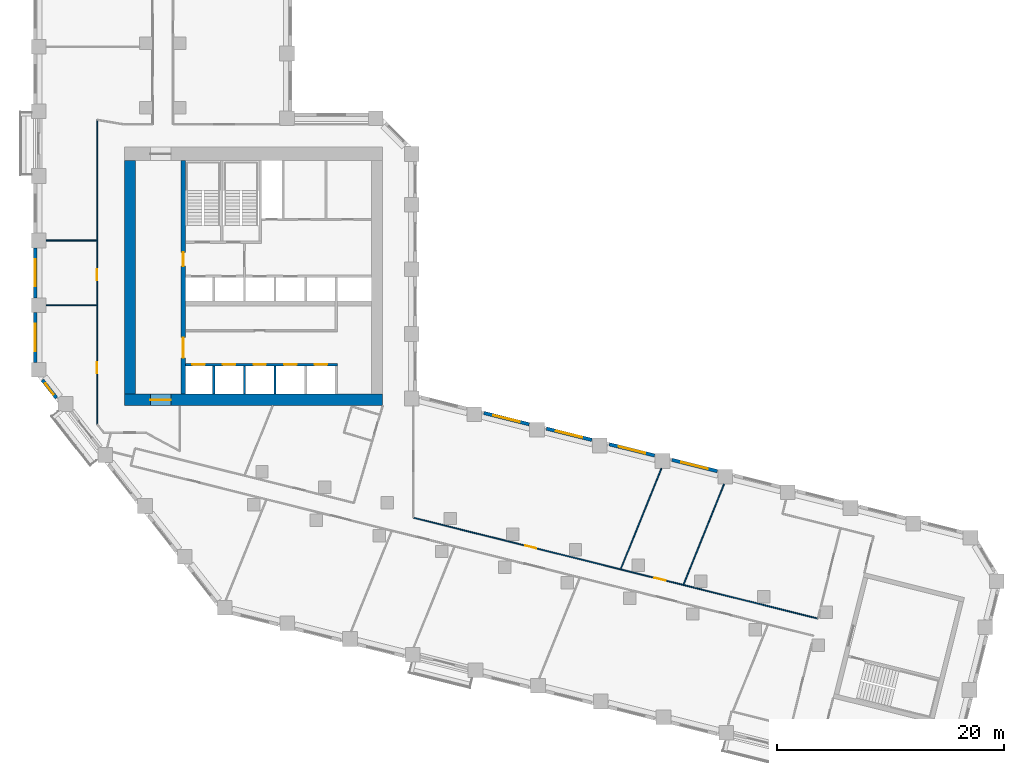
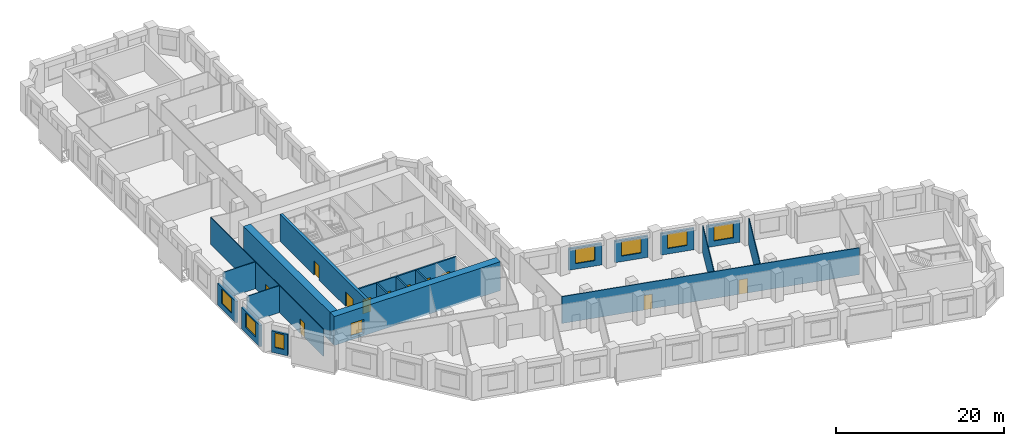
# One storey, part 4 of 10: 20 walls, 12 doors, 7 windows, 19 openings.
"""IFC4 building model written with IfcOpenShell, lengths in metres."""

from ifc_helpers import new_model, si_unit, direction, frame, frame_2d, origin, place, context, subcontext, project, spatial, rectangle, extrude, material, layer, layer_set, type_object, element, fill, save


model = new_model("IFC4")

# Units and contexts
model_context = context("Model", 3, precision=1e-05, world=origin(), true_north=direction((0.0, 1.0)))
body_context = subcontext(model_context, "Body", "Model", "MODEL_VIEW")
ifc_project = project(units=[si_unit("LENGTHUNIT", "METRE"), si_unit("AREAUNIT", "SQUARE_METRE"), si_unit("VOLUMEUNIT", "CUBIC_METRE"), si_unit("PLANEANGLEUNIT", "RADIAN"), si_unit("MASSUNIT", "GRAM", prefix="KILO")], contexts=[model_context])

# Site, building, storey
site_placement = place(None, origin())
site = spatial("IfcSite", under=ifc_project, at=site_placement, CompositionType="ELEMENT")
building_placement = place(site_placement, origin())
building = spatial("IfcBuilding", under=site, at=building_placement, Name="Meshkara Civic Tower", CompositionType="ELEMENT")
storey_placement = place(building_placement, frame((0.0, 0.0, 122.39990234375)))
storey = spatial("IfcBuildingStorey", under=building, at=storey_placement, Name="L27", CompositionType="ELEMENT", Elevation=122.39990234375)

# Wall, opening, door
ifc_material_1 = material(Name="Concrete C70", Category="concrete")
ifc_layer_1 = layer(ifc_material_1, 1.0)
ifc_layer_set_1 = layer_set([ifc_layer_1], Name="Core ring wall 1000 C70")
wall_type_1 = type_object("IfcWallType", Name="Core ring wall 1000 C70", PredefinedType="SHEAR", material=ifc_layer_set_1)
wall_1_placement = place(storey_placement, frame((8.0, 14.60009765625, -0.2998046875), z_axis=(0.0, 0.0, 1.0), x_axis=(1.0, 0.0, 0.0)))
wall_1 = element("IfcWall", 1, at=wall_1_placement, inside=storey, type_object=wall_type_1, Name="L27-C001", PredefinedType="SHEAR", context=body_context, shape_type="SweptSolid", body=[
    extrude(rectangle(XDim=22.800048828125, YDim=1.0, at=frame_2d((11.39990234375, 0.0))), origin(), (0.0, 0.0, 1.0), 4.199951171875),
])
opening_1_placement = place(wall_1_placement, frame((2.300048828125, 0.0, 0.300048828125)))
opening_1 = element("IfcOpeningElement", 2, at=opening_1_placement, cuts=wall_1, Name="Opening L27-K020", PredefinedType="OPENING", context=body_context, shape_type="SweptSolid", body=[
    extrude(rectangle(XDim=1.800048828125, YDim=2.10009765625, at=frame_2d((0.89990234375, 1.050048828125))), frame((0.0, 0.510009765625, 0.0), z_axis=(0.0, -1.0, 0.0), x_axis=(1.0, 0.0, 0.0)), (0.0, 0.0, 1.0), 1.02001953125),
])
ifc_material_2 = material(Name="Fire-rated door leaf in steel frame", Category="steel")
door_type_1 = type_object("IfcDoorType", Name="Core double door 1800 EI 60", OperationType="DOUBLE_DOOR_SINGLE_SWING", PredefinedType="DOOR", material=ifc_material_2)
door_1_placement = place(opening_1_placement, origin())
door_1 = element("IfcDoor", 3, at=door_1_placement, inside=storey, type_object=door_type_1, Name="L27-K020", OperationType="DOUBLE_DOOR_SINGLE_SWING", OverallHeight=2.10009765625, OverallWidth=1.800048828125, PredefinedType="DOOR", context=body_context, shape_type="SweptSolid", body=[
    extrude(rectangle(XDim=1.800048828125, YDim=2.10009765625, at=frame_2d((0.89990234375, 1.050048828125))), frame((0.0, 0.02490234375, 0.0), z_axis=(0.0, -1.0, 0.0), x_axis=(1.0, 0.0, 0.0)), (0.0, 0.0, 1.0), 0.050048828125),
])
fill(opening_1, door_1)

# Wall
wall_2_placement = place(storey_placement, frame((8.5, 15.10009765625, -0.2998046875), z_axis=(0.0, 0.0, 1.0), x_axis=(0.0, 1.0, 0.0)))
element("IfcWall", 4, at=wall_2_placement, inside=storey, type_object=wall_type_1, Name="L27-C003", PredefinedType="SHEAR", context=body_context, shape_type="SweptSolid", body=[
    extrude(rectangle(XDim=20.599853515625, YDim=1.0, at=frame_2d((10.2998046875, 0.0))), origin(), (0.0, 0.0, 1.0), 4.199951171875),
])

# Wall, openings, doors
ifc_material_3 = material(Name="Concrete C70", Category="concrete")
ifc_layer_2 = layer(ifc_material_3, 0.39990234375)
ifc_layer_set_2 = layer_set([ifc_layer_2], Name="Core shear wall 400 C70")
wall_type_2 = type_object("IfcWallType", Name="Core shear wall 400 C70", PredefinedType="SHEAR", material=ifc_layer_set_2)
wall_3_placement = place(storey_placement, frame((13.199951171875, 15.10009765625, 0.0), z_axis=(0.0, 0.0, 1.0), x_axis=(0.0, 1.0, 0.0)))
wall_3 = element("IfcWall", 5, at=wall_3_placement, inside=storey, type_object=wall_type_2, Name="L27-C011", PredefinedType="SHEAR", context=body_context, shape_type="SweptSolid", body=[
    extrude(rectangle(XDim=20.599853515625, YDim=0.39990234375, at=frame_2d((10.2998046875, 0.0))), origin(), (0.0, 0.0, 1.0), 3.900146484375),
])
opening_2_placement = place(wall_3_placement, frame((3.199951171875, 0.0, 0.0)))
opening_2 = element("IfcOpeningElement", 6, at=opening_2_placement, cuts=wall_3, Name="Opening L27-K016", PredefinedType="OPENING", context=body_context, shape_type="SweptSolid", body=[
    extrude(rectangle(XDim=1.800048828125, YDim=2.10009765625, at=frame_2d((0.89990234375, 1.050048828125))), frame((0.0, 0.2099609375, 0.0), z_axis=(0.0, -1.0, 0.0), x_axis=(1.0, 0.0, 0.0)), (0.0, 0.0, 1.0), 0.419921875),
])
opening_3_placement = place(wall_3_placement, frame((11.300048828125, 0.0, 0.0)))
opening_3 = element("IfcOpeningElement", 7, at=opening_3_placement, cuts=wall_3, Name="Opening L27-K017", PredefinedType="OPENING", context=body_context, shape_type="SweptSolid", body=[
    extrude(rectangle(XDim=1.199951171875, YDim=2.10009765625, at=frame_2d((0.60009765625, 1.050048828125))), frame((0.0, 0.2099609375, 0.0), z_axis=(0.0, -1.0, 0.0), x_axis=(1.0, 0.0, 0.0)), (0.0, 0.0, 1.0), 0.419921875),
])
door_2_placement = place(opening_2_placement, origin())
door_2 = element("IfcDoor", 8, at=door_2_placement, inside=storey, type_object=door_type_1, Name="L27-K016", OperationType="DOUBLE_DOOR_SINGLE_SWING", OverallHeight=2.10009765625, OverallWidth=1.800048828125, PredefinedType="DOOR", context=body_context, shape_type="SweptSolid", body=[
    extrude(rectangle(XDim=1.800048828125, YDim=2.10009765625, at=frame_2d((0.89990234375, 1.050048828125))), frame((0.0, 0.02490234375, 0.0), z_axis=(0.0, -1.0, 0.0), x_axis=(1.0, 0.0, 0.0)), (0.0, 0.0, 1.0), 0.050048828125),
])
fill(opening_2, door_2)
ifc_material_4 = material(Name="Fire-rated door leaf in steel frame", Category="steel")
door_type_2 = type_object("IfcDoorType", Name="Fire-fighting lobby door 1200 EI 120", OperationType="SINGLE_SWING_LEFT", PredefinedType="DOOR", material=ifc_material_4)
door_3_placement = place(opening_3_placement, origin())
door_3 = element("IfcDoor", 9, at=door_3_placement, inside=storey, type_object=door_type_2, Name="L27-K017", OperationType="SINGLE_SWING_LEFT", OverallHeight=2.10009765625, OverallWidth=1.199951171875, PredefinedType="DOOR", context=body_context, shape_type="SweptSolid", body=[
    extrude(rectangle(XDim=1.199951171875, YDim=2.10009765625, at=frame_2d((0.60009765625, 1.050048828125))), frame((0.0, 0.02490234375, 0.0), z_axis=(0.0, -1.0, 0.0), x_axis=(1.0, 0.0, 0.0)), (0.0, 0.0, 1.0), 0.050048828125),
])
fill(opening_3, door_3)

ifc_material_5 = material(Name="Corridor wall 100")
ifc_layer_3 = layer(ifc_material_5, 0.10009765625)
ifc_layer_set_3 = layer_set([ifc_layer_3], Name="Corridor wall 100")
wall_type_3 = type_object("IfcWallType", Name="Corridor wall 100", PredefinedType="PARTITIONING", material=ifc_layer_set_3)
wall_4_placement = place(storey_placement, frame((5.60009765625, 12.449951171875, 0.0), z_axis=(0.0, 0.0, 1.0), x_axis=(0.0, 1.0, 0.0)))
wall_4 = element("IfcWall", 10, at=wall_4_placement, inside=storey, type_object=wall_type_3, Name="L27-W003", PredefinedType="PARTITIONING", context=body_context, shape_type="SweptSolid", body=[
    extrude(rectangle(XDim=26.85009765625, YDim=0.10009765625, at=frame_2d((13.425048828125, 0.0))), origin(), (0.0, 0.0, 1.0), 3.900146484375),
])
opening_4_placement = place(wall_4_placement, frame((4.47998046875, 0.0, 0.0)))
opening_4 = element("IfcOpeningElement", 11, at=opening_4_placement, cuts=wall_4, Name="Opening L27-D016", PredefinedType="OPENING", context=body_context, shape_type="SweptSolid", body=[
    extrude(rectangle(XDim=1.0, YDim=2.10009765625, at=frame_2d((0.5, 1.050048828125))), frame((0.0, 0.06005859375, 0.0), z_axis=(0.0, -1.0, 0.0), x_axis=(1.0, 0.0, 0.0)), (0.0, 0.0, 1.0), 0.1201171875),
])
opening_5_placement = place(wall_4_placement, frame((12.68505859375, 0.0, 0.0)))
opening_5 = element("IfcOpeningElement", 12, at=opening_5_placement, cuts=wall_4, Name="Opening L27-D018", PredefinedType="OPENING", context=body_context, shape_type="SweptSolid", body=[
    extrude(rectangle(XDim=1.0, YDim=2.10009765625, at=frame_2d((0.5, 1.050048828125))), frame((0.0, 0.06005859375, 0.0), z_axis=(0.0, -1.0, 0.0), x_axis=(1.0, 0.0, 0.0)), (0.0, 0.0, 1.0), 0.1201171875),
])
ifc_material_6 = material(Name="Door 1000 x 2100")
door_type_3 = type_object("IfcDoorType", Name="Door 1000 x 2100", OperationType="SINGLE_SWING_LEFT", PredefinedType="DOOR", material=ifc_material_6)
door_4_placement = place(opening_4_placement, origin())
door_4 = element("IfcDoor", 13, at=door_4_placement, inside=storey, type_object=door_type_3, Name="L27-D016", OperationType="SINGLE_SWING_LEFT", OverallHeight=2.10009765625, OverallWidth=1.0, PredefinedType="DOOR", context=body_context, shape_type="SweptSolid", body=[
    extrude(rectangle(XDim=1.0, YDim=2.10009765625, at=frame_2d((0.5, 1.050048828125))), frame((0.0, 0.02490234375, 0.0), z_axis=(0.0, -1.0, 0.0), x_axis=(1.0, 0.0, 0.0)), (0.0, 0.0, 1.0), 0.050048828125),
])
fill(opening_4, door_4)
door_5_placement = place(opening_5_placement, origin())
door_5 = element("IfcDoor", 14, at=door_5_placement, inside=storey, type_object=door_type_3, Name="L27-D018", OperationType="SINGLE_SWING_LEFT", OverallHeight=2.10009765625, OverallWidth=1.0, PredefinedType="DOOR", context=body_context, shape_type="SweptSolid", body=[
    extrude(rectangle(XDim=1.0, YDim=2.10009765625, at=frame_2d((0.5, 1.050048828125))), frame((0.0, 0.02490234375, 0.0), z_axis=(0.0, -1.0, 0.0), x_axis=(1.0, 0.0, 0.0)), (0.0, 0.0, 1.0), 0.050048828125),
])
fill(opening_5, door_5)

wall_5_placement = place(storey_placement, frame((33.5, 4.2041015625, 0.0), z_axis=(0.0, 0.0, 1.0), x_axis=(0.970297694708, -0.241914000513, 0.0)))
wall_5 = element("IfcWall", 15, at=wall_5_placement, inside=storey, type_object=wall_type_3, Name="L27-W022", PredefinedType="PARTITIONING", context=body_context, shape_type="SweptSolid", body=[
    extrude(rectangle(XDim=36.782470703125, YDim=0.10009765625, at=frame_2d((18.39111328125, 0.0))), origin(), (0.0, 0.0, 1.0), 3.900146484375),
])
opening_6_placement = place(wall_5_placement, frame((21.924072265625, 0.0, 0.0)))
opening_6 = element("IfcOpeningElement", 16, at=opening_6_placement, cuts=wall_5, Name="Opening L27-D004", PredefinedType="OPENING", context=body_context, shape_type="SweptSolid", body=[
    extrude(rectangle(XDim=1.0, YDim=2.10009765625, at=frame_2d((0.5, 1.050048828125))), frame((0.0, 0.06005859375, 0.0), z_axis=(0.0, -1.0, 0.0), x_axis=(1.0, 0.0, 0.0)), (0.0, 0.0, 1.0), 0.1201171875),
])
opening_7_placement = place(wall_5_placement, frame((10.179931640625, 0.0, 0.0)))
opening_7 = element("IfcOpeningElement", 17, at=opening_7_placement, cuts=wall_5, Name="Opening L27-D009", PredefinedType="OPENING", context=body_context, shape_type="SweptSolid", body=[
    extrude(rectangle(XDim=1.0, YDim=2.10009765625, at=frame_2d((0.5, 1.050048828125))), frame((0.0, 0.06005859375, 0.0), z_axis=(0.0, -1.0, 0.0), x_axis=(1.0, 0.0, 0.0)), (0.0, 0.0, 1.0), 0.1201171875),
])
door_6_placement = place(opening_6_placement, origin())
door_6 = element("IfcDoor", 18, at=door_6_placement, inside=storey, type_object=door_type_3, Name="L27-D004", OperationType="SINGLE_SWING_RIGHT", OverallHeight=2.10009765625, OverallWidth=1.0, PredefinedType="DOOR", context=body_context, shape_type="SweptSolid", body=[
    extrude(rectangle(XDim=1.0, YDim=2.10009765625, at=frame_2d((0.5, 1.050048828125))), frame((0.0, 0.02490234375, 0.0), z_axis=(0.0, -1.0, 0.0), x_axis=(1.0, 0.0, 0.0)), (0.0, 0.0, 1.0), 0.050048828125),
])
fill(opening_6, door_6)
door_7_placement = place(opening_7_placement, origin())
door_7 = element("IfcDoor", 19, at=door_7_placement, inside=storey, type_object=door_type_3, Name="L27-D009", OperationType="SINGLE_SWING_RIGHT", OverallHeight=2.10009765625, OverallWidth=1.0, PredefinedType="DOOR", context=body_context, shape_type="SweptSolid", body=[
    extrude(rectangle(XDim=1.0, YDim=2.10009765625, at=frame_2d((0.5, 1.050048828125))), frame((0.0, 0.02490234375, 0.0), z_axis=(0.0, -1.0, 0.0), x_axis=(1.0, 0.0, 0.0)), (0.0, 0.0, 1.0), 0.050048828125),
])
fill(opening_7, door_7)

# Wall, opening, window
ifc_material_7 = material(Name="Insulated infill panel with bronze anodised aluminium cladding", Category="aluminium")
ifc_layer_4 = layer(ifc_material_7, 0.300048828125)
ifc_layer_set_4 = layer_set([ifc_layer_4], Name="EXTERNAL INFILL WALL 300")
wall_type_4 = type_object("IfcWallType", Name="EXTERNAL INFILL WALL 300", PredefinedType="SOLIDWALL", material=ifc_layer_set_4)
wall_6_placement = place(storey_placement, frame((60.31103515625, 8.305908203125, 0.0), z_axis=(0.0, 0.0, 1.0), x_axis=(-0.970267747908, 0.242034083076, 0.0)))
wall_6 = element("IfcWall", 20, at=wall_6_placement, inside=storey, type_object=wall_type_4, Name="External wall", PredefinedType="SOLIDWALL", context=body_context, shape_type="SweptSolid", body=[
    extrude(rectangle(XDim=4.12353515625, YDim=0.300048828125, at=frame_2d((2.061767578125, 0.0))), origin(), (0.0, 0.0, 1.0), 3.10009765625),
])
opening_8_placement = place(wall_6_placement, frame((0.862060546875, 0.0, 0.800048828125)))
opening_8 = element("IfcOpeningElement", 21, at=opening_8_placement, cuts=wall_6, Name="Opening W7", PredefinedType="OPENING", context=body_context, shape_type="SweptSolid", body=[
    extrude(rectangle(XDim=2.39990234375, YDim=2.10009765625, at=frame_2d((1.199951171875, 1.050048828125))), frame((0.0, 0.159912109375, 0.0), z_axis=(0.0, -1.0, 0.0), x_axis=(1.0, 0.0, 0.0)), (0.0, 0.0, 1.0), 0.320068359375),
])
ifc_material_8 = material(Name="Tinted double glazing", Category="glass")
window_type_1 = type_object("IfcWindowType", Name="WINDOW 2400x2100", PartitioningType="DOUBLE_PANEL_VERTICAL", PredefinedType="WINDOW", material=ifc_material_8)
window_1_placement = place(opening_8_placement, origin())
window_1 = element("IfcWindow", 22, at=window_1_placement, inside=storey, type_object=window_type_1, Name="Window", OverallHeight=2.10009765625, OverallWidth=2.39990234375, PartitioningType="DOUBLE_PANEL_VERTICAL", PredefinedType="WINDOW", context=body_context, shape_type="SweptSolid", body=[
    extrude(rectangle(XDim=2.39990234375, YDim=2.10009765625, at=frame_2d((1.199951171875, 1.050048828125))), frame((0.0, 0.030029296875, 0.0), z_axis=(0.0, -1.0, 0.0), x_axis=(1.0, 0.0, 0.0)), (0.0, 0.0, 1.0), 0.06005859375),
])
fill(opening_8, window_1)

wall_7_placement = place(storey_placement, frame((54.781005859375, 9.68505859375, 0.0), z_axis=(0.0, 0.0, 1.0), x_axis=(-0.970281616392, 0.241978480223, 0.0)))
wall_7 = element("IfcWall", 23, at=wall_7_placement, inside=storey, type_object=wall_type_4, Name="External wall", PredefinedType="SOLIDWALL", context=body_context, shape_type="SweptSolid", body=[
    extrude(rectangle(XDim=4.12451171875, YDim=0.300048828125, at=frame_2d((2.062255859375, 0.0))), origin(), (0.0, 0.0, 1.0), 3.10009765625),
])
opening_9_placement = place(wall_7_placement, frame((0.862060546875, 0.0, 0.800048828125)))
opening_9 = element("IfcOpeningElement", 24, at=opening_9_placement, cuts=wall_7, Name="Opening W7", PredefinedType="OPENING", context=body_context, shape_type="SweptSolid", body=[
    extrude(rectangle(XDim=2.39990234375, YDim=2.10009765625, at=frame_2d((1.199951171875, 1.050048828125))), frame((0.0, 0.159912109375, 0.0), z_axis=(0.0, -1.0, 0.0), x_axis=(1.0, 0.0, 0.0)), (0.0, 0.0, 1.0), 0.320068359375),
])
window_2_placement = place(opening_9_placement, origin())
window_2 = element("IfcWindow", 25, at=window_2_placement, inside=storey, type_object=window_type_1, Name="Window", OverallHeight=2.10009765625, OverallWidth=2.39990234375, PartitioningType="DOUBLE_PANEL_VERTICAL", PredefinedType="WINDOW", context=body_context, shape_type="SweptSolid", body=[
    extrude(rectangle(XDim=2.39990234375, YDim=2.10009765625, at=frame_2d((1.199951171875, 1.050048828125))), frame((0.0, 0.030029296875, 0.0), z_axis=(0.0, -1.0, 0.0), x_axis=(1.0, 0.0, 0.0)), (0.0, 0.0, 1.0), 0.06005859375),
])
fill(opening_9, window_2)

wall_8_placement = place(storey_placement, frame((49.25, 11.06396484375, 0.0), z_axis=(0.0, 0.0, 1.0), x_axis=(-0.970281616392, 0.241978480223, 0.0)))
wall_8 = element("IfcWall", 26, at=wall_8_placement, inside=storey, type_object=wall_type_4, Name="External wall", PredefinedType="SOLIDWALL", context=body_context, shape_type="SweptSolid", body=[
    extrude(rectangle(XDim=4.12451171875, YDim=0.300048828125, at=frame_2d((2.062255859375, 0.0))), origin(), (0.0, 0.0, 1.0), 3.10009765625),
])
opening_10_placement = place(wall_8_placement, frame((0.862060546875, 0.0, 0.800048828125)))
opening_10 = element("IfcOpeningElement", 27, at=opening_10_placement, cuts=wall_8, Name="Opening W7", PredefinedType="OPENING", context=body_context, shape_type="SweptSolid", body=[
    extrude(rectangle(XDim=2.39990234375, YDim=2.10009765625, at=frame_2d((1.199951171875, 1.050048828125))), frame((0.0, 0.159912109375, 0.0), z_axis=(0.0, -1.0, 0.0), x_axis=(1.0, 0.0, 0.0)), (0.0, 0.0, 1.0), 0.320068359375),
])
window_3_placement = place(opening_10_placement, origin())
window_3 = element("IfcWindow", 28, at=window_3_placement, inside=storey, type_object=window_type_1, Name="Window", OverallHeight=2.10009765625, OverallWidth=2.39990234375, PartitioningType="DOUBLE_PANEL_VERTICAL", PredefinedType="WINDOW", context=body_context, shape_type="SweptSolid", body=[
    extrude(rectangle(XDim=2.39990234375, YDim=2.10009765625, at=frame_2d((1.199951171875, 1.050048828125))), frame((0.0, 0.030029296875, 0.0), z_axis=(0.0, -1.0, 0.0), x_axis=(1.0, 0.0, 0.0)), (0.0, 0.0, 1.0), 0.06005859375),
])
fill(opening_10, window_3)

wall_9_placement = place(storey_placement, frame((43.718994140625, 12.443115234375, 0.0), z_axis=(0.0, 0.0, 1.0), x_axis=(-0.970281650314, 0.241978344205, 0.0)))
wall_9 = element("IfcWall", 29, at=wall_9_placement, inside=storey, type_object=wall_type_4, Name="External wall", PredefinedType="SOLIDWALL", context=body_context, shape_type="SweptSolid", body=[
    extrude(rectangle(XDim=4.12353515625, YDim=0.300048828125, at=frame_2d((2.061767578125, 0.0))), origin(), (0.0, 0.0, 1.0), 3.10009765625),
])
opening_11_placement = place(wall_9_placement, frame((0.862060546875, 0.0, 0.800048828125)))
opening_11 = element("IfcOpeningElement", 30, at=opening_11_placement, cuts=wall_9, Name="Opening W7", PredefinedType="OPENING", context=body_context, shape_type="SweptSolid", body=[
    extrude(rectangle(XDim=2.39990234375, YDim=2.10009765625, at=frame_2d((1.199951171875, 1.050048828125))), frame((0.0, 0.159912109375, 0.0), z_axis=(0.0, -1.0, 0.0), x_axis=(1.0, 0.0, 0.0)), (0.0, 0.0, 1.0), 0.320068359375),
])
window_4_placement = place(opening_11_placement, origin())
window_4 = element("IfcWindow", 31, at=window_4_placement, inside=storey, type_object=window_type_1, Name="Window", OverallHeight=2.10009765625, OverallWidth=2.39990234375, PartitioningType="DOUBLE_PANEL_VERTICAL", PredefinedType="WINDOW", context=body_context, shape_type="SweptSolid", body=[
    extrude(rectangle(XDim=2.39990234375, YDim=2.10009765625, at=frame_2d((1.199951171875, 1.050048828125))), frame((0.0, 0.030029296875, 0.0), z_axis=(0.0, -1.0, 0.0), x_axis=(1.0, 0.0, 0.0)), (0.0, 0.0, 1.0), 0.06005859375),
])
fill(opening_11, window_4)

wall_10_placement = place(storey_placement, frame((0.14990234375, 28.0048828125, 0.0), z_axis=(0.0, 0.0, 1.0), x_axis=(0.0, -1.0, 0.0)))
wall_10 = element("IfcWall", 32, at=wall_10_placement, inside=storey, type_object=wall_type_4, Name="External wall", PredefinedType="SOLIDWALL", context=body_context, shape_type="SweptSolid", body=[
    extrude(rectangle(XDim=4.39990234375, YDim=0.300048828125, at=frame_2d((2.199951171875, 0.0))), origin(), (0.0, 0.0, 1.0), 3.10009765625),
])
opening_12_placement = place(wall_10_placement, frame((1.0, 0.0, 0.800048828125)))
opening_12 = element("IfcOpeningElement", 33, at=opening_12_placement, cuts=wall_10, Name="Opening W7", PredefinedType="OPENING", context=body_context, shape_type="SweptSolid", body=[
    extrude(rectangle(XDim=2.39990234375, YDim=2.10009765625, at=frame_2d((1.199951171875, 1.050048828125))), frame((0.0, 0.159912109375, 0.0), z_axis=(0.0, -1.0, 0.0), x_axis=(1.0, 0.0, 0.0)), (0.0, 0.0, 1.0), 0.320068359375),
])
window_5_placement = place(opening_12_placement, origin())
window_5 = element("IfcWindow", 34, at=window_5_placement, inside=storey, type_object=window_type_1, Name="Window", OverallHeight=2.10009765625, OverallWidth=2.39990234375, PartitioningType="DOUBLE_PANEL_VERTICAL", PredefinedType="WINDOW", context=body_context, shape_type="SweptSolid", body=[
    extrude(rectangle(XDim=2.39990234375, YDim=2.10009765625, at=frame_2d((1.199951171875, 1.050048828125))), frame((0.0, 0.030029296875, 0.0), z_axis=(0.0, -1.0, 0.0), x_axis=(1.0, 0.0, 0.0)), (0.0, 0.0, 1.0), 0.06005859375),
])
fill(opening_12, window_5)

wall_11_placement = place(storey_placement, frame((0.14990234375, 22.304931640625, 0.0), z_axis=(0.0, 0.0, 1.0), x_axis=(0.0, -1.0, 0.0)))
wall_11 = element("IfcWall", 35, at=wall_11_placement, inside=storey, type_object=wall_type_4, Name="External wall", PredefinedType="SOLIDWALL", context=body_context, shape_type="SweptSolid", body=[
    extrude(rectangle(XDim=4.39990234375, YDim=0.300048828125, at=frame_2d((2.199951171875, 0.0))), origin(), (0.0, 0.0, 1.0), 3.10009765625),
])
opening_13_placement = place(wall_11_placement, frame((1.0, 0.0, 0.800048828125)))
opening_13 = element("IfcOpeningElement", 36, at=opening_13_placement, cuts=wall_11, Name="Opening W7", PredefinedType="OPENING", context=body_context, shape_type="SweptSolid", body=[
    extrude(rectangle(XDim=2.39990234375, YDim=2.10009765625, at=frame_2d((1.199951171875, 1.050048828125))), frame((0.0, 0.159912109375, 0.0), z_axis=(0.0, -1.0, 0.0), x_axis=(1.0, 0.0, 0.0)), (0.0, 0.0, 1.0), 0.320068359375),
])
window_6_placement = place(opening_13_placement, origin())
window_6 = element("IfcWindow", 37, at=window_6_placement, inside=storey, type_object=window_type_1, Name="Window", OverallHeight=2.10009765625, OverallWidth=2.39990234375, PartitioningType="DOUBLE_PANEL_VERTICAL", PredefinedType="WINDOW", context=body_context, shape_type="SweptSolid", body=[
    extrude(rectangle(XDim=2.39990234375, YDim=2.10009765625, at=frame_2d((1.199951171875, 1.050048828125))), frame((0.0, 0.030029296875, 0.0), z_axis=(0.0, -1.0, 0.0), x_axis=(1.0, 0.0, 0.0)), (0.0, 0.0, 1.0), 0.06005859375),
])
fill(opening_13, window_6)

wall_12_placement = place(storey_placement, frame((0.77490234375, 16.35107421875, 0.0), z_axis=(0.0, 0.0, 1.0), x_axis=(0.6157921118, -0.787908671766, 0.0)))
wall_12 = element("IfcWall", 38, at=wall_12_placement, inside=storey, type_object=wall_type_4, Name="External wall", PredefinedType="SOLIDWALL", context=body_context, shape_type="SweptSolid", body=[
    extrude(rectangle(XDim=2.015625, YDim=0.300048828125, at=frame_2d((1.0078125, 0.0))), origin(), (0.0, 0.0, 1.0), 3.10009765625),
])
opening_14_placement = place(wall_12_placement, frame((0.407958984375, 0.0, 0.800048828125)))
opening_14 = element("IfcOpeningElement", 39, at=opening_14_placement, cuts=wall_12, Name="Opening W3", PredefinedType="OPENING", context=body_context, shape_type="SweptSolid", body=[
    extrude(rectangle(XDim=1.199951171875, YDim=2.10009765625, at=frame_2d((0.60009765625, 1.050048828125))), frame((0.0, 0.159912109375, 0.0), z_axis=(0.0, -1.0, 0.0), x_axis=(1.0, 0.0, 0.0)), (0.0, 0.0, 1.0), 0.320068359375),
])
ifc_material_9 = material(Name="Tinted double glazing", Category="glass")
window_type_2 = type_object("IfcWindowType", Name="WINDOW 1200x2100", PartitioningType="SINGLE_PANEL", PredefinedType="WINDOW", material=ifc_material_9)
window_7_placement = place(opening_14_placement, origin())
window_7 = element("IfcWindow", 40, at=window_7_placement, inside=storey, type_object=window_type_2, Name="Window", OverallHeight=2.10009765625, OverallWidth=1.199951171875, PartitioningType="SINGLE_PANEL", PredefinedType="WINDOW", context=body_context, shape_type="SweptSolid", body=[
    extrude(rectangle(XDim=1.199951171875, YDim=2.10009765625, at=frame_2d((0.60009765625, 1.050048828125))), frame((0.0, 0.030029296875, 0.0), z_axis=(0.0, -1.0, 0.0), x_axis=(1.0, 0.0, 0.0)), (0.0, 0.0, 1.0), 0.06005859375),
])
fill(opening_14, window_7)

# Walls
ifc_material_10 = material(Name="Partition 100")
ifc_layer_5 = layer(ifc_material_10, 0.10009765625)
ifc_layer_set_5 = layer_set([ifc_layer_5], Name="Partition 100")
wall_type_5 = type_object("IfcWallType", Name="Partition 100", PredefinedType="PARTITIONING", material=ifc_layer_set_5)
for number, where, z_axis, x_axis, name in (
    (41, (5.550048828125, 22.955078125, 0.0), (0.0, 0.0, 1.0), (-1.0, 0.0, 0.0), "L27-W033"),
    (42, (5.550048828125, 28.655029296875, 0.0), (0.0, 0.0, 1.0), (-1.0, 0.0, 0.0), "L27-W034"),
):
    element("IfcWall", number, at=place(storey_placement, frame(where, z_axis=z_axis, x_axis=x_axis)), inside=storey, type_object=wall_type_5, Name=name, PredefinedType="PARTITIONING", context=body_context, shape_type="SweptSolid", body=[
        extrude(rectangle(XDim=4.449951171875, YDim=0.10009765625, at=frame_2d((2.22509765625, 0.0))), origin(), (0.0, 0.0, 1.0), 3.900146484375),
    ])
wall_13_placement = place(storey_placement, frame((51.805908203125, -0.301025390625, 0.0), z_axis=(0.0, 0.0, 1.0), x_axis=(0.374597469954, 0.927187540633, 0.0)))
element("IfcWall", 43, at=wall_13_placement, inside=storey, type_object=wall_type_5, Name="L27-W049", PredefinedType="PARTITIONING", context=body_context, shape_type="SweptSolid", body=[
    extrude(rectangle(XDim=9.54931640625, YDim=0.10009765625, at=frame_2d((4.774658203125, 0.0))), origin(), (0.0, 0.0, 1.0), 3.900146484375),
])
wall_14_placement = place(storey_placement, frame((57.3369140625, -1.679931640625, 0.0), z_axis=(0.0, 0.0, 1.0), x_axis=(0.374509549879, 0.927223056793, 0.0)))
element("IfcWall", 44, at=wall_14_placement, inside=storey, type_object=wall_type_5, Name="L27-W050", PredefinedType="PARTITIONING", context=body_context, shape_type="SweptSolid", body=[
    extrude(rectangle(XDim=9.548828125, YDim=0.10009765625, at=frame_2d((4.7744140625, 0.0))), origin(), (0.0, 0.0, 1.0), 3.900146484375),
])

# Wall, openings, doors
ifc_material_11 = material(Name="Concrete C40/50", Category="concrete")
ifc_layer_6 = layer(ifc_material_11, 0.199951171875)
ifc_layer_set_6 = layer_set([ifc_layer_6], Name="Shaft wall 200 C40/50")
wall_type_6 = type_object("IfcWallType", Name="Shaft wall 200 C40/50", PredefinedType="SOLIDWALL", material=ifc_layer_set_6)
wall_15_placement = place(storey_placement, frame((13.39990234375, 17.699951171875, 0.0), z_axis=(0.0, 0.0, 1.0), x_axis=(1.0, 0.0, 0.0)))
wall_15 = element("IfcWall", 45, at=wall_15_placement, inside=storey, type_object=wall_type_6, Name="L27-C005", PredefinedType="SOLIDWALL", context=body_context, shape_type="SweptSolid", body=[
    extrude(rectangle(XDim=13.400146484375, YDim=0.199951171875, at=frame_2d((6.7001953125, 0.0))), origin(), (0.0, 0.0, 1.0), 3.900146484375),
])
opening_15_placement = place(wall_15_placement, frame((0.60009765625, 0.0, 0.0)))
opening_15 = element("IfcOpeningElement", 46, at=opening_15_placement, cuts=wall_15, Name="Opening L27-K001", PredefinedType="OPENING", context=body_context, shape_type="SweptSolid", body=[
    extrude(rectangle(XDim=1.10009765625, YDim=2.10009765625, at=frame_2d((0.550048828125, 1.050048828125))), frame((0.0, 0.10986328125, 0.0), z_axis=(0.0, -1.0, 0.0), x_axis=(1.0, 0.0, 0.0)), (0.0, 0.0, 1.0), 0.219970703125),
])
opening_16_placement = place(wall_15_placement, frame((3.300048828125, 0.0, 0.0)))
opening_16 = element("IfcOpeningElement", 47, at=opening_16_placement, cuts=wall_15, Name="Opening L27-K002", PredefinedType="OPENING", context=body_context, shape_type="SweptSolid", body=[
    extrude(rectangle(XDim=1.10009765625, YDim=2.10009765625, at=frame_2d((0.550048828125, 1.050048828125))), frame((0.0, 0.10986328125, 0.0), z_axis=(0.0, -1.0, 0.0), x_axis=(1.0, 0.0, 0.0)), (0.0, 0.0, 1.0), 0.219970703125),
])
opening_17_placement = place(wall_15_placement, frame((6.0, 0.0, 0.0)))
opening_17 = element("IfcOpeningElement", 48, at=opening_17_placement, cuts=wall_15, Name="Opening L27-K003", PredefinedType="OPENING", context=body_context, shape_type="SweptSolid", body=[
    extrude(rectangle(XDim=1.10009765625, YDim=2.10009765625, at=frame_2d((0.550048828125, 1.050048828125))), frame((0.0, 0.10986328125, 0.0), z_axis=(0.0, -1.0, 0.0), x_axis=(1.0, 0.0, 0.0)), (0.0, 0.0, 1.0), 0.219970703125),
])
opening_18_placement = place(wall_15_placement, frame((8.699951171875, 0.0, 0.0)))
opening_18 = element("IfcOpeningElement", 49, at=opening_18_placement, cuts=wall_15, Name="Opening L27-K004", PredefinedType="OPENING", context=body_context, shape_type="SweptSolid", body=[
    extrude(rectangle(XDim=1.10009765625, YDim=2.10009765625, at=frame_2d((0.550048828125, 1.050048828125))), frame((0.0, 0.10986328125, 0.0), z_axis=(0.0, -1.0, 0.0), x_axis=(1.0, 0.0, 0.0)), (0.0, 0.0, 1.0), 0.219970703125),
])
opening_19_placement = place(wall_15_placement, frame((11.39990234375, 0.0, 0.0)))
opening_19 = element("IfcOpeningElement", 50, at=opening_19_placement, cuts=wall_15, Name="Opening L27-K005", PredefinedType="OPENING", context=body_context, shape_type="SweptSolid", body=[
    extrude(rectangle(XDim=1.10009765625, YDim=2.10009765625, at=frame_2d((0.550048828125, 1.050048828125))), frame((0.0, 0.10986328125, 0.0), z_axis=(0.0, -1.0, 0.0), x_axis=(1.0, 0.0, 0.0)), (0.0, 0.0, 1.0), 0.219970703125),
])
ifc_material_12 = material(Name="Stainless steel landing door", Category="steel")
door_type_4 = type_object("IfcDoorType", Name="Lift landing door 1100", OperationType="SLIDING_TO_LEFT", PredefinedType="DOOR", material=ifc_material_12)
door_8_placement = place(opening_15_placement, origin())
door_8 = element("IfcDoor", 51, at=door_8_placement, inside=storey, type_object=door_type_4, Name="L27-K001", OperationType="SLIDING_TO_LEFT", OverallHeight=2.10009765625, OverallWidth=1.10009765625, PredefinedType="DOOR", context=body_context, shape_type="SweptSolid", body=[
    extrude(rectangle(XDim=1.10009765625, YDim=2.10009765625, at=frame_2d((0.550048828125, 1.050048828125))), frame((0.0, 0.02490234375, 0.0), z_axis=(0.0, -1.0, 0.0), x_axis=(1.0, 0.0, 0.0)), (0.0, 0.0, 1.0), 0.050048828125),
])
fill(opening_15, door_8)
door_9_placement = place(opening_16_placement, origin())
door_9 = element("IfcDoor", 52, at=door_9_placement, inside=storey, type_object=door_type_4, Name="L27-K002", OperationType="SLIDING_TO_LEFT", OverallHeight=2.10009765625, OverallWidth=1.10009765625, PredefinedType="DOOR", context=body_context, shape_type="SweptSolid", body=[
    extrude(rectangle(XDim=1.10009765625, YDim=2.10009765625, at=frame_2d((0.550048828125, 1.050048828125))), frame((0.0, 0.02490234375, 0.0), z_axis=(0.0, -1.0, 0.0), x_axis=(1.0, 0.0, 0.0)), (0.0, 0.0, 1.0), 0.050048828125),
])
fill(opening_16, door_9)
door_10_placement = place(opening_17_placement, origin())
door_10 = element("IfcDoor", 53, at=door_10_placement, inside=storey, type_object=door_type_4, Name="L27-K003", OperationType="SLIDING_TO_LEFT", OverallHeight=2.10009765625, OverallWidth=1.10009765625, PredefinedType="DOOR", context=body_context, shape_type="SweptSolid", body=[
    extrude(rectangle(XDim=1.10009765625, YDim=2.10009765625, at=frame_2d((0.550048828125, 1.050048828125))), frame((0.0, 0.02490234375, 0.0), z_axis=(0.0, -1.0, 0.0), x_axis=(1.0, 0.0, 0.0)), (0.0, 0.0, 1.0), 0.050048828125),
])
fill(opening_17, door_10)
door_11_placement = place(opening_18_placement, origin())
door_11 = element("IfcDoor", 54, at=door_11_placement, inside=storey, type_object=door_type_4, Name="L27-K004", OperationType="SLIDING_TO_LEFT", OverallHeight=2.10009765625, OverallWidth=1.10009765625, PredefinedType="DOOR", context=body_context, shape_type="SweptSolid", body=[
    extrude(rectangle(XDim=1.10009765625, YDim=2.10009765625, at=frame_2d((0.550048828125, 1.050048828125))), frame((0.0, 0.02490234375, 0.0), z_axis=(0.0, -1.0, 0.0), x_axis=(1.0, 0.0, 0.0)), (0.0, 0.0, 1.0), 0.050048828125),
])
fill(opening_18, door_11)
door_12_placement = place(opening_19_placement, origin())
door_12 = element("IfcDoor", 55, at=door_12_placement, inside=storey, type_object=door_type_4, Name="L27-K005", OperationType="SLIDING_TO_LEFT", OverallHeight=2.10009765625, OverallWidth=1.10009765625, PredefinedType="DOOR", context=body_context, shape_type="SweptSolid", body=[
    extrude(rectangle(XDim=1.10009765625, YDim=2.10009765625, at=frame_2d((0.550048828125, 1.050048828125))), frame((0.0, 0.02490234375, 0.0), z_axis=(0.0, -1.0, 0.0), x_axis=(1.0, 0.0, 0.0)), (0.0, 0.0, 1.0), 0.050048828125),
])
fill(opening_19, door_12)

# Walls
for number, where, z_axis, x_axis, name in (
    (56, (15.89990234375, 15.10009765625, 0.0), (0.0, 0.0, 1.0), (0.0, 1.0, 0.0), "L27-C012"),
    (57, (18.60009765625, 15.10009765625, 0.0), (0.0, 0.0, 1.0), (0.0, 1.0, 0.0), "L27-C015"),
    (58, (21.300048828125, 15.10009765625, 0.0), (0.0, 0.0, 1.0), (0.0, 1.0, 0.0), "L27-C018"),
):
    element("IfcWall", number, at=place(storey_placement, frame(where, z_axis=z_axis, x_axis=x_axis)), inside=storey, type_object=wall_type_6, Name=name, PredefinedType="SOLIDWALL", context=body_context, shape_type="SweptSolid", body=[
        extrude(rectangle(XDim=2.5, YDim=0.199951171875, at=frame_2d((1.25, 0.0))), origin(), (0.0, 0.0, 1.0), 3.900146484375),
    ])

save(model, "model.ifc")
